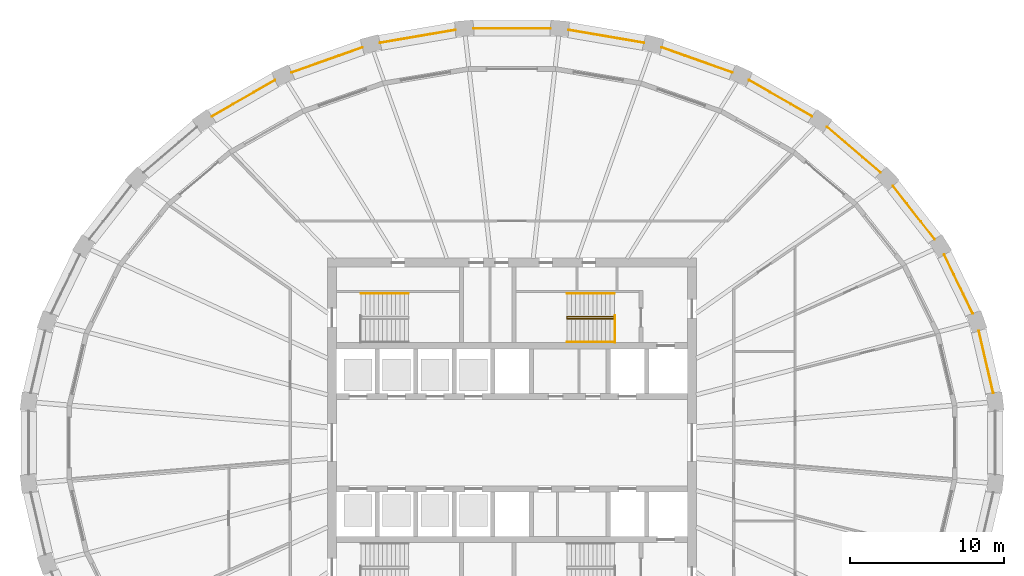
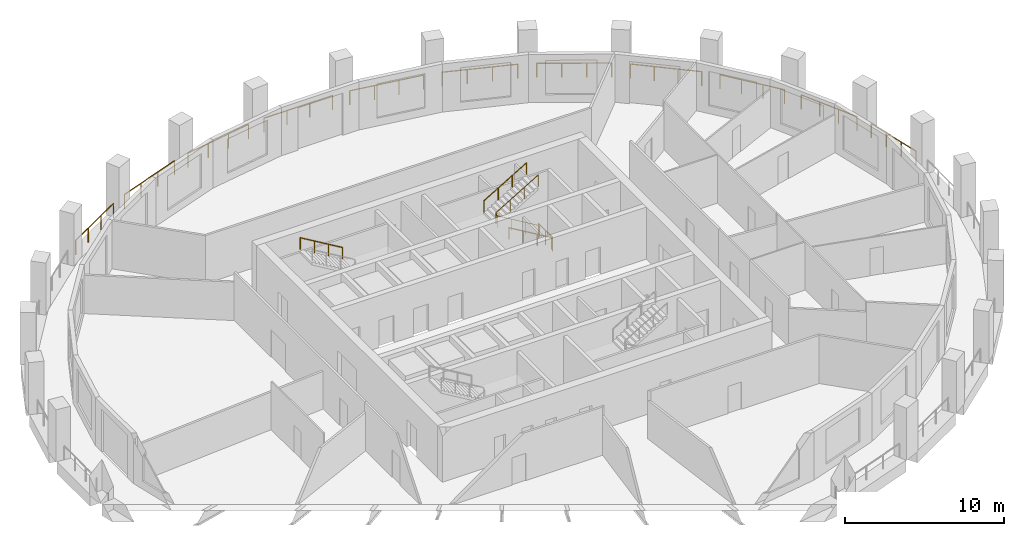
# One storey, part 10 of 11: 16 railings.
"""IFC4 building model written with IfcOpenShell, lengths in metres."""

from ifc_helpers import new_model, si_unit, direction, frame, origin, origin_2d, place, context, subcontext, project, spatial, circle, extrude, material, type_object, element, save


model = new_model("IFC4")

# Units and contexts
model_context = context("Model", 3, precision=1e-05, world=origin(), true_north=direction((0.0, 1.0)))
body_context = subcontext(model_context, "Body", "Model", "MODEL_VIEW")
ifc_project = project(units=[si_unit("LENGTHUNIT", "METRE"), si_unit("AREAUNIT", "SQUARE_METRE"), si_unit("VOLUMEUNIT", "CUBIC_METRE"), si_unit("PLANEANGLEUNIT", "RADIAN"), si_unit("MASSUNIT", "GRAM", prefix="KILO")], contexts=[model_context])

# Site, building, storey
site_placement = place(None, origin())
site = spatial("IfcSite", under=ifc_project, at=site_placement, CompositionType="ELEMENT")
building_placement = place(site_placement, origin())
building = spatial("IfcBuilding", under=site, at=building_placement, Name="Halqa Exchange Tower", CompositionType="ELEMENT")
storey_placement = place(building_placement, frame((0.0, 0.0, 226.89990234375)))
storey = spatial("IfcBuildingStorey", under=building, at=storey_placement, Name="L52", CompositionType="ELEMENT", Elevation=226.89990234375)

# Railings
ifc_material = material(Name="Stainless steel", Category="steel")
railing_type_1 = type_object("IfcRailingType", Name="Guard 1100 stainless steel", PredefinedType="GUARDRAIL", material=ifc_material)
railing_1_placement = place(storey_placement, frame((31.26513671875, 3.2353515625, 0.0)))
element("IfcRailing", 1, at=railing_1_placement, inside=storey, type_object=railing_type_1, Name="Loggia guard 1", PredefinedType="GUARDRAIL", context=body_context, shape_type="SweptSolid", body=[
    extrude(circle(Radius=0.02392578125, at=origin_2d()), frame((0.0, 0.0, 1.076171875), z_axis=(-0.226078724413, 0.974109034127, 0.0), x_axis=(-0.974109034127, -0.226078724413, 0.0)), (0.0, 0.0, 1.0), 4.13818359375),
    extrude(circle(Radius=0.02099609375, at=origin_2d()), origin(), (0.0, 0.0, 1.0), 1.052001953125),
    extrude(circle(Radius=0.02099609375, at=origin_2d()), frame((-0.311767578125, 1.34375, 0.0)), (0.0, 0.0, 1.0), 1.052001953125),
    extrude(circle(Radius=0.02099609375, at=origin_2d()), frame((-0.623779296875, 2.687255859375, 0.0)), (0.0, 0.0, 1.0), 1.052001953125),
    extrude(circle(Radius=0.02099609375, at=origin_2d()), frame((-0.935546875, 4.031005859375, 0.0)), (0.0, 0.0, 1.0), 1.052001953125),
])
railing_2_placement = place(storey_placement, frame((29.932861328125, 8.39111328125, 0.0)))
element("IfcRailing", 2, at=railing_2_placement, inside=storey, type_object=railing_type_1, Name="Loggia guard 2", PredefinedType="GUARDRAIL", context=body_context, shape_type="SweptSolid", body=[
    extrude(circle(Radius=0.02392578125, at=origin_2d()), frame((0.0, 0.0, 1.076171875), z_axis=(-0.435127430079, 0.900368879734, 0.0), x_axis=(-0.900368879734, -0.435127430079, 0.0)), (0.0, 0.0, 1.0), 4.239990234375),
    extrude(circle(Radius=0.02099609375, at=origin_2d()), origin(), (0.0, 0.0, 1.0), 1.052001953125),
    extrude(circle(Radius=0.02099609375, at=origin_2d()), frame((-0.614990234375, 1.2724609375, 0.0)), (0.0, 0.0, 1.0), 1.052001953125),
    extrude(circle(Radius=0.02099609375, at=origin_2d()), frame((-1.22998046875, 2.545166015625, 0.0)), (0.0, 0.0, 1.0), 1.052001953125),
    extrude(circle(Radius=0.02099609375, at=origin_2d()), frame((-1.844970703125, 3.817626953125, 0.0)), (0.0, 0.0, 1.0), 1.052001953125),
])
railing_3_placement = place(storey_placement, frame((27.4580078125, 13.22216796875, 0.0)))
element("IfcRailing", 3, at=railing_3_placement, inside=storey, type_object=railing_type_1, Name="Loggia guard 3", PredefinedType="GUARDRAIL", context=body_context, shape_type="SweptSolid", body=[
    extrude(circle(Radius=0.02392578125, at=origin_2d()), frame((0.0, 0.0, 1.076171875), z_axis=(-0.614775863942, 0.788701868334, 0.0), x_axis=(-0.788701868334, -0.614775863942, 0.0)), (0.0, 0.0, 1.0), 4.389404296875),
    extrude(circle(Radius=0.02099609375, at=origin_2d()), origin(), (0.0, 0.0, 1.0), 1.052001953125),
    extrude(circle(Radius=0.02099609375, at=origin_2d()), frame((-0.8994140625, 1.154052734375, 0.0)), (0.0, 0.0, 1.0), 1.052001953125),
    extrude(circle(Radius=0.02099609375, at=origin_2d()), frame((-1.799072265625, 2.307861328125, 0.0)), (0.0, 0.0, 1.0), 1.052001953125),
    extrude(circle(Radius=0.02099609375, at=origin_2d()), frame((-2.698486328125, 3.4619140625, 0.0)), (0.0, 0.0, 1.0), 1.052001953125),
])
railing_4_placement = place(storey_placement, frame((23.934814453125, 17.547607421875, 0.0)))
element("IfcRailing", 4, at=railing_4_placement, inside=storey, type_object=railing_type_1, Name="Loggia guard 4", PredefinedType="GUARDRAIL", context=body_context, shape_type="SweptSolid", body=[
    extrude(circle(Radius=0.02392578125, at=origin_2d()), frame((0.0, 0.0, 1.076171875), z_axis=(-0.759230149262, 0.65082223414, 0.0), x_axis=(-0.65082223414, -0.759230149262, 0.0)), (0.0, 0.0, 1.0), 4.560302734375),
    extrude(circle(Radius=0.02099609375, at=origin_2d()), origin(), (0.0, 0.0, 1.0), 1.052001953125),
    extrude(circle(Radius=0.02099609375, at=origin_2d()), frame((-1.154052734375, 0.9892578125, 0.0)), (0.0, 0.0, 1.0), 1.052001953125),
    extrude(circle(Radius=0.02099609375, at=origin_2d()), frame((-2.308349609375, 1.978759765625, 0.0)), (0.0, 0.0, 1.0), 1.052001953125),
    extrude(circle(Radius=0.02099609375, at=origin_2d()), frame((-3.46240234375, 2.968017578125, 0.0)), (0.0, 0.0, 1.0), 1.052001953125),
])
railing_5_placement = place(storey_placement, frame((19.49609375, 21.204345703125, 0.0)))
element("IfcRailing", 5, at=railing_5_placement, inside=storey, type_object=railing_type_1, Name="Loggia guard 5", PredefinedType="GUARDRAIL", context=body_context, shape_type="SweptSolid", body=[
    extrude(circle(Radius=0.02392578125, at=origin_2d()), frame((0.0, 0.0, 1.076171875), z_axis=(-0.867753217725, 0.496995325057, 0.0), x_axis=(-0.496995325057, -0.867753217725, 0.0)), (0.0, 0.0, 1.0), 4.7265625),
    extrude(circle(Radius=0.02099609375, at=origin_2d()), origin(), (0.0, 0.0, 1.0), 1.052001953125),
    extrude(circle(Radius=0.02099609375, at=origin_2d()), frame((-1.3671875, 0.782958984375, 0.0)), (0.0, 0.0, 1.0), 1.052001953125),
    extrude(circle(Radius=0.02099609375, at=origin_2d()), frame((-2.734375, 1.566162109375, 0.0)), (0.0, 0.0, 1.0), 1.052001953125),
    extrude(circle(Radius=0.02099609375, at=origin_2d()), frame((-4.1015625, 2.34912109375, 0.0)), (0.0, 0.0, 1.0), 1.052001953125),
])
railing_6_placement = place(storey_placement, frame((14.308349609375, 24.05224609375, 0.0)))
element("IfcRailing", 6, at=railing_6_placement, inside=storey, type_object=railing_type_1, Name="Loggia guard 6", PredefinedType="GUARDRAIL", context=body_context, shape_type="SweptSolid", body=[
    extrude(circle(Radius=0.02392578125, at=origin_2d()), frame((0.0, 0.0, 1.076171875), z_axis=(-0.94236598603, 0.334583843562, 0.0), x_axis=(-0.334583843562, -0.94236598603, 0.0)), (0.0, 0.0, 1.0), 4.864013671875),
    extrude(circle(Radius=0.02099609375, at=origin_2d()), origin(), (0.0, 0.0, 1.0), 1.052001953125),
    extrude(circle(Radius=0.02099609375, at=origin_2d()), frame((-1.52783203125, 0.54248046875, 0.0)), (0.0, 0.0, 1.0), 1.052001953125),
    extrude(circle(Radius=0.02099609375, at=origin_2d()), frame((-3.055908203125, 1.0849609375, 0.0)), (0.0, 0.0, 1.0), 1.052001953125),
    extrude(circle(Radius=0.02099609375, at=origin_2d()), frame((-4.583740234375, 1.62744140625, 0.0)), (0.0, 0.0, 1.0), 1.052001953125),
])
railing_7_placement = place(storey_placement, frame((8.567626953125, 25.9814453125, 0.0)))
element("IfcRailing", 7, at=railing_7_placement, inside=storey, type_object=railing_type_1, Name="Loggia guard 7", PredefinedType="GUARDRAIL", context=body_context, shape_type="SweptSolid", body=[
    extrude(circle(Radius=0.02392578125, at=origin_2d()), frame((0.0, 0.0, 1.076171875), z_axis=(-0.985778469169, 0.16805002149, 0.0), x_axis=(-0.16805002149, -0.985778469169, 0.0)), (0.0, 0.0, 1.0), 4.9541015625),
    extrude(circle(Radius=0.02099609375, at=origin_2d()), origin(), (0.0, 0.0, 1.0), 1.052001953125),
    extrude(circle(Radius=0.02099609375, at=origin_2d()), frame((-1.6279296875, 0.277587890625, 0.0)), (0.0, 0.0, 1.0), 1.052001953125),
    extrude(circle(Radius=0.02099609375, at=origin_2d()), frame((-3.255615234375, 0.554931640625, 0.0)), (0.0, 0.0, 1.0), 1.052001953125),
    extrude(circle(Radius=0.02099609375, at=origin_2d()), frame((-4.883544921875, 0.83251953125, 0.0)), (0.0, 0.0, 1.0), 1.052001953125),
])
railing_8_placement = place(storey_placement, frame((2.49267578125, 26.914794921875, 0.0)))
element("IfcRailing", 8, at=railing_8_placement, inside=storey, type_object=railing_type_1, Name="Loggia guard 8", PredefinedType="GUARDRAIL", context=body_context, shape_type="SweptSolid", body=[
    extrude(circle(Radius=0.02392578125, at=origin_2d()), frame((0.0, 0.0, 1.076171875), z_axis=(-1.0, 0.0, 0.0), x_axis=(0.0, -1.0, 0.0)), (0.0, 0.0, 1.0), 4.9853515625),
    extrude(circle(Radius=0.02099609375, at=origin_2d()), origin(), (0.0, 0.0, 1.0), 1.052001953125),
    extrude(circle(Radius=0.02099609375, at=origin_2d()), frame((-1.661865234375, 0.0, 0.0)), (0.0, 0.0, 1.0), 1.052001953125),
    extrude(circle(Radius=0.02099609375, at=origin_2d()), frame((-3.323486328125, 0.0, 0.0)), (0.0, 0.0, 1.0), 1.052001953125),
    extrude(circle(Radius=0.02099609375, at=origin_2d()), frame((-4.9853515625, 0.0, 0.0)), (0.0, 0.0, 1.0), 1.052001953125),
])
railing_9_placement = place(storey_placement, frame((-3.68408203125, 26.81396484375, 0.0)))
element("IfcRailing", 9, at=railing_9_placement, inside=storey, type_object=railing_type_1, Name="Loggia guard 9", PredefinedType="GUARDRAIL", context=body_context, shape_type="SweptSolid", body=[
    extrude(circle(Radius=0.02392578125, at=origin_2d()), frame((0.0, 0.0, 1.076171875), z_axis=(-0.985778469169, -0.16805002149, 0.0), x_axis=(0.16805002149, -0.985778469169, 0.0)), (0.0, 0.0, 1.0), 4.9541015625),
    extrude(circle(Radius=0.02099609375, at=origin_2d()), origin(), (0.0, 0.0, 1.0), 1.052001953125),
    extrude(circle(Radius=0.02099609375, at=origin_2d()), frame((-1.6279296875, -0.277587890625, 0.0)), (0.0, 0.0, 1.0), 1.052001953125),
    extrude(circle(Radius=0.02099609375, at=origin_2d()), frame((-3.255615234375, -0.554931640625, 0.0)), (0.0, 0.0, 1.0), 1.052001953125),
    extrude(circle(Radius=0.02099609375, at=origin_2d()), frame((-4.883544921875, -0.83251953125, 0.0)), (0.0, 0.0, 1.0), 1.052001953125),
])
railing_10_placement = place(storey_placement, frame((-9.724609375, 25.6796875, 0.0)))
element("IfcRailing", 10, at=railing_10_placement, inside=storey, type_object=railing_type_1, Name="Loggia guard 10", PredefinedType="GUARDRAIL", context=body_context, shape_type="SweptSolid", body=[
    extrude(circle(Radius=0.02392578125, at=origin_2d()), frame((0.0, 0.0, 1.076171875), z_axis=(-0.94236598603, -0.334583843562, 0.0), x_axis=(0.334583843562, -0.94236598603, 0.0)), (0.0, 0.0, 1.0), 4.864013671875),
    extrude(circle(Radius=0.02099609375, at=origin_2d()), origin(), (0.0, 0.0, 1.0), 1.052001953125),
    extrude(circle(Radius=0.02099609375, at=origin_2d()), frame((-1.52783203125, -0.54248046875, 0.0)), (0.0, 0.0, 1.0), 1.052001953125),
    extrude(circle(Radius=0.02099609375, at=origin_2d()), frame((-3.055908203125, -1.0849609375, 0.0)), (0.0, 0.0, 1.0), 1.052001953125),
    extrude(circle(Radius=0.02099609375, at=origin_2d()), frame((-4.583740234375, -1.62744140625, 0.0)), (0.0, 0.0, 1.0), 1.052001953125),
])
railing_11_placement = place(storey_placement, frame((-15.39453125, 23.553466796875, 0.0)))
element("IfcRailing", 11, at=railing_11_placement, inside=storey, type_object=railing_type_1, Name="Loggia guard 11", PredefinedType="GUARDRAIL", context=body_context, shape_type="SweptSolid", body=[
    extrude(circle(Radius=0.02392578125, at=origin_2d()), frame((0.0, 0.0, 1.076171875), z_axis=(-0.867753217725, -0.496995325057, 0.0), x_axis=(0.496995325057, -0.867753217725, 0.0)), (0.0, 0.0, 1.0), 4.7265625),
    extrude(circle(Radius=0.02099609375, at=origin_2d()), origin(), (0.0, 0.0, 1.0), 1.052001953125),
    extrude(circle(Radius=0.02099609375, at=origin_2d()), frame((-1.3671875, -0.782958984375, 0.0)), (0.0, 0.0, 1.0), 1.052001953125),
    extrude(circle(Radius=0.02099609375, at=origin_2d()), frame((-2.734375, -1.566162109375, 0.0)), (0.0, 0.0, 1.0), 1.052001953125),
    extrude(circle(Radius=0.02099609375, at=origin_2d()), frame((-4.1015625, -2.34912109375, 0.0)), (0.0, 0.0, 1.0), 1.052001953125),
])
railing_type_2 = type_object("IfcRailingType", Name="Stair handrail 900", PredefinedType="HANDRAIL", material=ifc_material)
railing_12_placement = place(storey_placement, frame((-6.719970703125, 9.699951171875, 2.166748046875)))
element("IfcRailing", 12, at=railing_12_placement, inside=storey, type_object=railing_type_2, Name="Handrail ST1.3", PredefinedType="HANDRAIL", context=body_context, shape_type="SweptSolid", body=[
    extrude(circle(Radius=0.02392578125, at=origin_2d()), frame((0.0, 0.0, 0.8759765625), z_axis=(-0.859308565015, 0.0, 0.511457515432), x_axis=(0.0, -1.0, 0.0)), (0.0, 0.0, 1.0), 3.58447265625),
    extrude(circle(Radius=0.02099609375, at=origin_2d()), origin(), (0.0, 0.0, 1.0), 0.851806640625),
    extrude(circle(Radius=0.02099609375, at=origin_2d()), frame((-1.026611328125, 0.0, 0.611083984375)), (0.0, 0.0, 1.0), 0.851806640625),
    extrude(circle(Radius=0.02099609375, at=origin_2d()), frame((-2.053466796875, 0.0, 1.22216796875)), (0.0, 0.0, 1.0), 0.851806640625),
    extrude(circle(Radius=0.02099609375, at=origin_2d()), frame((-3.080078125, 0.0, 1.833251953125)), (0.0, 0.0, 1.0), 0.851806640625),
])
railing_13_placement = place(storey_placement, frame((6.64990234375, 8.06005859375, 0.166748046875)))
element("IfcRailing", 13, at=railing_13_placement, inside=storey, type_object=railing_type_2, Name="Handrail ST2.1", PredefinedType="HANDRAIL", context=body_context, shape_type="SweptSolid", body=[
    extrude(circle(Radius=0.02392578125, at=origin_2d()), frame((0.0, 0.0, 0.8759765625), z_axis=(-0.859290745958, 0.0, 0.51148745235), x_axis=(0.0, -1.0, 0.0)), (0.0, 0.0, 1.0), 3.584228515625),
    extrude(circle(Radius=0.02392578125, at=origin_2d()), frame((-3.079833984375, 0.0, 2.708984375), z_axis=(0.0, 0.614500226555, 0.788916644243), x_axis=(-1.0, 0.0, 0.0)), (0.0, 0.0, 1.0), 0.21142578125),
    extrude(circle(Radius=0.02392578125, at=origin_2d()), frame((-3.079833984375, 0.1298828125, 2.8759765625), z_axis=(0.859290745958, 0.0, 0.51148745235), x_axis=(0.0, 1.0, 0.0)), (0.0, 0.0, 1.0), 3.584228515625),
    extrude(circle(Radius=0.02099609375, at=origin_2d()), origin(), (0.0, 0.0, 1.0), 0.851806640625),
    extrude(circle(Radius=0.02099609375, at=origin_2d()), frame((-1.026611328125, 0.0, 0.611083984375)), (0.0, 0.0, 1.0), 0.851806640625),
    extrude(circle(Radius=0.02099609375, at=origin_2d()), frame((-2.05322265625, 0.0, 1.22216796875)), (0.0, 0.0, 1.0), 0.851806640625),
    extrude(circle(Radius=0.02099609375, at=origin_2d()), frame((-3.079833984375, 0.0, 1.833251953125)), (0.0, 0.0, 1.0), 0.851806640625),
    extrude(circle(Radius=0.02099609375, at=origin_2d()), frame((-3.079833984375, 0.1298828125, 2.0)), (0.0, 0.0, 1.0), 0.851806640625),
    extrude(circle(Radius=0.02099609375, at=origin_2d()), frame((-2.05322265625, 0.1298828125, 2.611083984375)), (0.0, 0.0, 1.0), 0.851806640625),
    extrude(circle(Radius=0.02099609375, at=origin_2d()), frame((-1.026611328125, 0.1298828125, 3.22216796875)), (0.0, 0.0, 1.0), 0.851806640625),
    extrude(circle(Radius=0.02099609375, at=origin_2d()), frame((0.0, 0.1298828125, 3.833251953125)), (0.0, 0.0, 1.0), 0.851806640625),
])
railing_14_placement = place(storey_placement, frame((6.64990234375, 6.550048828125, 0.166748046875)))
element("IfcRailing", 14, at=railing_14_placement, inside=storey, type_object=railing_type_2, Name="Handrail ST2.2", PredefinedType="HANDRAIL", context=body_context, shape_type="SweptSolid", body=[
    extrude(circle(Radius=0.02392578125, at=origin_2d()), frame((0.0, 0.0, 0.8759765625), z_axis=(-0.859290745958, 0.0, 0.51148745235), x_axis=(0.0, -1.0, 0.0)), (0.0, 0.0, 1.0), 3.584228515625),
    extrude(circle(Radius=0.02099609375, at=origin_2d()), origin(), (0.0, 0.0, 1.0), 0.851806640625),
    extrude(circle(Radius=0.02099609375, at=origin_2d()), frame((-1.026611328125, 0.0, 0.611083984375)), (0.0, 0.0, 1.0), 0.851806640625),
    extrude(circle(Radius=0.02099609375, at=origin_2d()), frame((-2.05322265625, 0.0, 1.22216796875)), (0.0, 0.0, 1.0), 0.851806640625),
    extrude(circle(Radius=0.02099609375, at=origin_2d()), frame((-3.079833984375, 0.0, 1.833251953125)), (0.0, 0.0, 1.0), 0.851806640625),
])
railing_15_placement = place(storey_placement, frame((3.570068359375, 9.699951171875, 2.166748046875)))
element("IfcRailing", 15, at=railing_15_placement, inside=storey, type_object=railing_type_2, Name="Handrail ST2.3", PredefinedType="HANDRAIL", context=body_context, shape_type="SweptSolid", body=[
    extrude(circle(Radius=0.02392578125, at=origin_2d()), frame((0.0, 0.0, 0.8759765625), z_axis=(0.859290745958, 0.0, 0.51148745235), x_axis=(0.0, 1.0, 0.0)), (0.0, 0.0, 1.0), 3.584228515625),
    extrude(circle(Radius=0.02099609375, at=origin_2d()), origin(), (0.0, 0.0, 1.0), 0.851806640625),
    extrude(circle(Radius=0.02099609375, at=origin_2d()), frame((1.026611328125, 0.0, 0.611083984375)), (0.0, 0.0, 1.0), 0.851806640625),
    extrude(circle(Radius=0.02099609375, at=origin_2d()), frame((2.05322265625, 0.0, 1.22216796875)), (0.0, 0.0, 1.0), 0.851806640625),
    extrude(circle(Radius=0.02099609375, at=origin_2d()), frame((3.079833984375, 0.0, 1.833251953125)), (0.0, 0.0, 1.0), 0.851806640625),
])
railing_type_3 = type_object("IfcRailingType", Name="Stair well guard 1100", PredefinedType="GUARDRAIL", material=ifc_material)
railing_16_placement = place(storey_placement, frame((6.699951171875, 6.5, 0.0)))
element("IfcRailing", 16, at=railing_16_placement, inside=storey, type_object=railing_type_3, Name="Guard ST2 well", PredefinedType="GUARDRAIL", context=body_context, shape_type="SweptSolid", body=[
    extrude(circle(Radius=0.02392578125, at=origin_2d()), frame((0.0, 0.0, 1.076171875), z_axis=(0.0, 1.0, 0.0), x_axis=(-1.0, 0.0, 0.0)), (0.0, 0.0, 1.0), 1.75),
    extrude(circle(Radius=0.02099609375, at=origin_2d()), origin(), (0.0, 0.0, 1.0), 1.052001953125),
    extrude(circle(Radius=0.02099609375, at=origin_2d()), frame((0.0, 0.875, 0.0)), (0.0, 0.0, 1.0), 1.052001953125),
    extrude(circle(Radius=0.02099609375, at=origin_2d()), frame((0.0, 1.75, 0.0)), (0.0, 0.0, 1.0), 1.052001953125),
])

save(model, "model.ifc")
